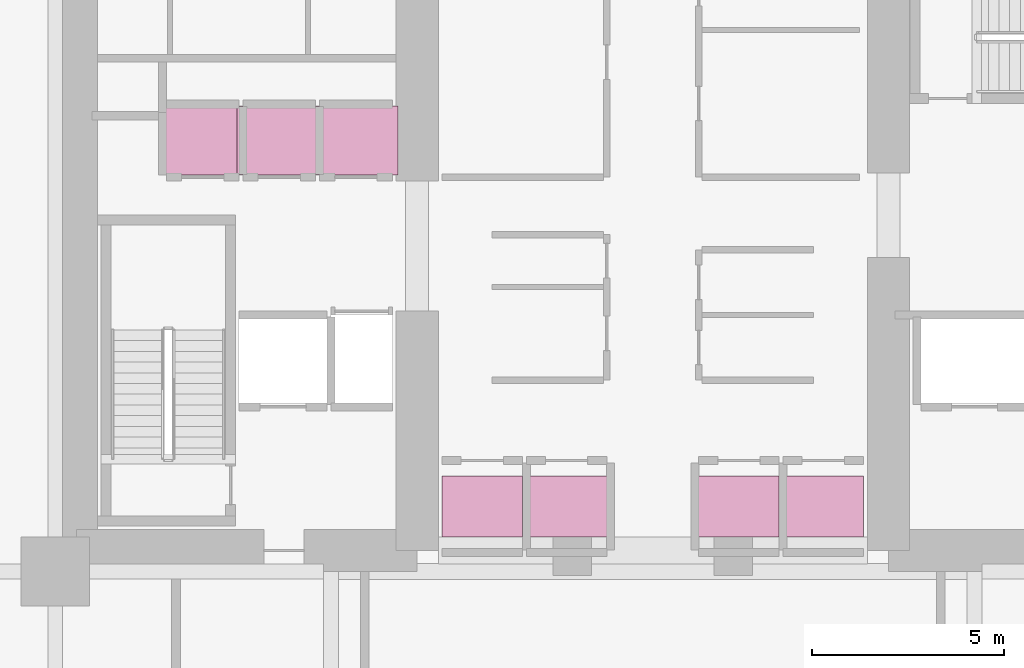
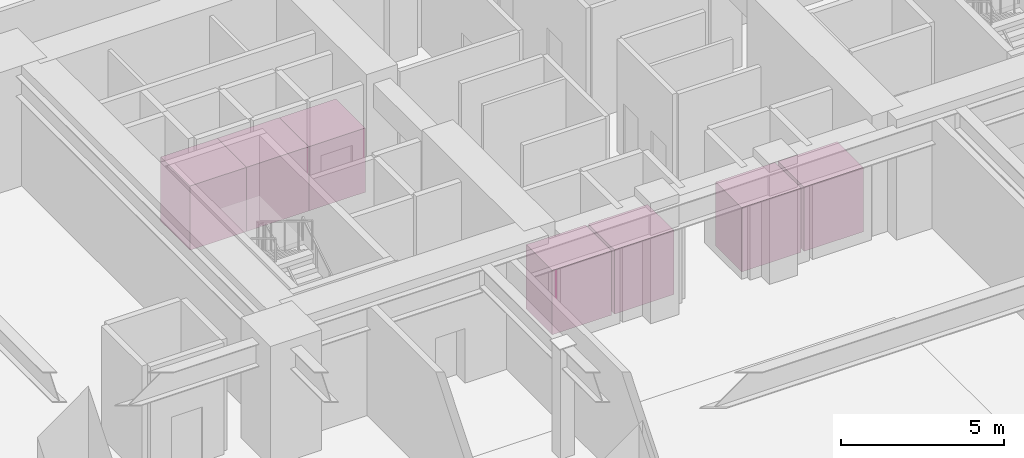
# One storey, part 26 of 26: 7 transport elements.
"""IFC4 building model written with IfcOpenShell, lengths in metres."""

from ifc_helpers import new_model, si_unit, direction, frame, origin, origin_2d, place, context, subcontext, project, spatial, rectangle, extrude, material, type_object, element, save


model = new_model("IFC4")

# Units and contexts
model_context = context("Model", 3, precision=1e-05, world=origin(), true_north=direction((0.0, 1.0)))
body_context = subcontext(model_context, "Body", "Model", "MODEL_VIEW")
ifc_project = project(units=[si_unit("LENGTHUNIT", "METRE"), si_unit("AREAUNIT", "SQUARE_METRE"), si_unit("VOLUMEUNIT", "CUBIC_METRE"), si_unit("PLANEANGLEUNIT", "RADIAN"), si_unit("MASSUNIT", "GRAM", prefix="KILO")], contexts=[model_context])

# Site, building, storey
site_placement = place(None, origin())
site = spatial("IfcSite", under=ifc_project, at=site_placement, CompositionType="ELEMENT")
building_placement = place(site_placement, origin())
building = spatial("IfcBuilding", under=site, at=building_placement, Name="Kiyonajd Concourse Tower", CompositionType="ELEMENT")
storey_placement = place(building_placement, origin())
storey = spatial("IfcBuildingStorey", under=building, at=storey_placement, Name="L01", CompositionType="ELEMENT", Elevation=0.0)

# Transport elements
ifc_material = material(Name="Brushed Stainless Steel Cab Assembly", Category="steel")
transport_element_type_1 = type_object("IfcTransportElementType", Name="EL-EXL-2200", PredefinedType="ELEVATOR", material=ifc_material)
for number, where, z_axis, x_axis, name in (
    (1, (36.25, 38.85009765625, 0.0), (0.0, 0.0, 1.0), (1.0, 0.0, 0.0), "Express Sky-Lobby Shuttle EXL1"),
    (2, (38.25, 38.85009765625, 0.0), (0.0, 0.0, 1.0), (1.0, 0.0, 0.0), "Express Sky-Lobby Shuttle EXL2"),
    (3, (40.25, 38.85009765625, 0.0), (0.0, 0.0, 1.0), (1.0, 0.0, 0.0), "Express Sky-Lobby Shuttle EXL3"),
):
    element("IfcTransportElement", number, at=place(storey_placement, frame(where, z_axis=z_axis, x_axis=x_axis)), inside=storey, type_object=transport_element_type_1, Name=name, PredefinedType="ELEVATOR", context=body_context, shape_type="SweptSolid", body=[
        extrude(rectangle(XDim=2.199951171875, YDim=1.800048828125, at=origin_2d()), origin(), (0.0, 0.0, 1.0), 2.39990234375),
    ])
transport_element_type_2 = type_object("IfcTransportElementType", Name="EL-PAX-2100", PredefinedType="ELEVATOR", material=ifc_material)
for number, where, z_axis, x_axis, name in (
    (4, (43.550048828125, 29.300048828125, 0.0), (0.0, 0.0, 1.0), (1.0, 0.0, 0.0), "Low-Rise Passenger Lift PL-L1"),
    (5, (45.75, 29.300048828125, 0.0), (0.0, 0.0, 1.0), (1.0, 0.0, 0.0), "Low-Rise Passenger Lift PL-L2"),
    (6, (50.25, 29.300048828125, 0.0), (0.0, 0.0, 1.0), (1.0, 0.0, 0.0), "Low-Rise Passenger Lift PL-L3"),
    (7, (52.449951171875, 29.300048828125, 0.0), (0.0, 0.0, 1.0), (1.0, 0.0, 0.0), "Low-Rise Passenger Lift PL-L4"),
):
    element("IfcTransportElement", number, at=place(storey_placement, frame(where, z_axis=z_axis, x_axis=x_axis)), inside=storey, type_object=transport_element_type_2, Name=name, PredefinedType="ELEVATOR", context=body_context, shape_type="SweptSolid", body=[
        extrude(rectangle(XDim=2.10009765625, YDim=1.60009765625, at=origin_2d()), origin(), (0.0, 0.0, 1.0), 2.39990234375),
    ])

save(model, "model.ifc")
